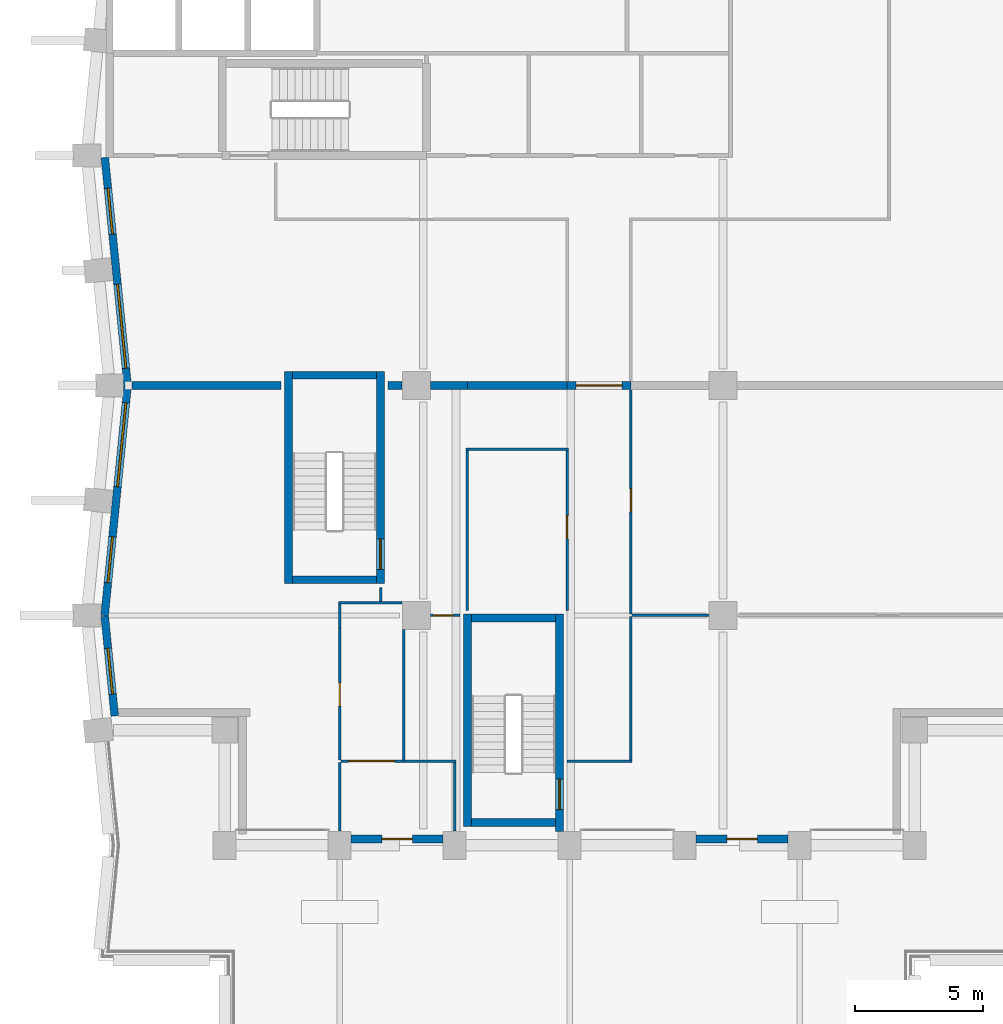
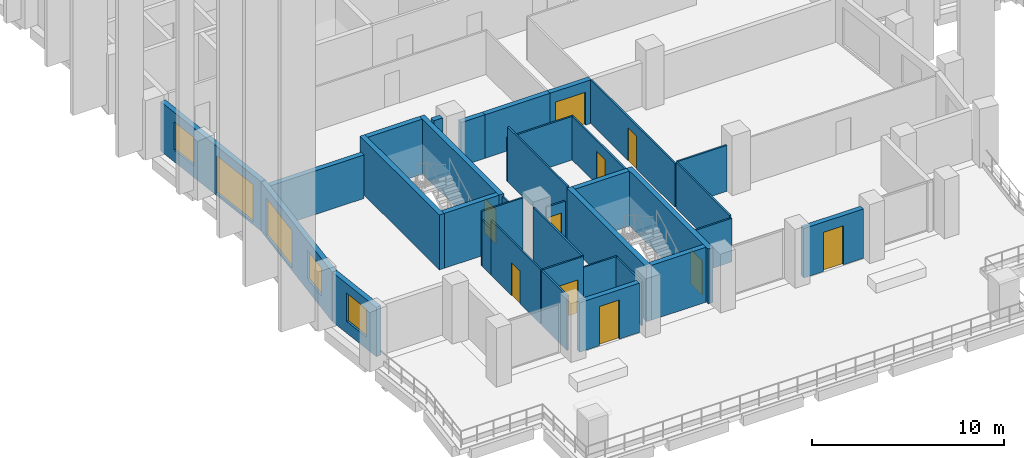
# One storey, part 10 of 18: 35 walls, 10 doors, 5 windows, 15 openings.
"""IFC4 building model written with IfcOpenShell, lengths in metres."""

from ifc_helpers import new_model, si_unit, direction, frame, frame_2d, origin, place, context, subcontext, project, spatial, rectangle, extrude, material, layer, layer_set, type_object, element, fill, save


model = new_model("IFC4")

# Units and contexts
model_context = context("Model", 3, precision=1e-05, world=origin(), true_north=direction((0.0, 1.0)))
body_context = subcontext(model_context, "Body", "Model", "MODEL_VIEW")
ifc_project = project(units=[si_unit("LENGTHUNIT", "METRE"), si_unit("AREAUNIT", "SQUARE_METRE"), si_unit("VOLUMEUNIT", "CUBIC_METRE"), si_unit("PLANEANGLEUNIT", "RADIAN"), si_unit("MASSUNIT", "GRAM", prefix="KILO")], contexts=[model_context])

# Site, building, storey
site_placement = place(None, origin())
site = spatial("IfcSite", under=ifc_project, at=site_placement, CompositionType="ELEMENT")
building_placement = place(site_placement, origin())
building = spatial("IfcBuilding", under=site, at=building_placement, Name="Brondeck Convention Tower", CompositionType="ELEMENT")
storey_placement = place(building_placement, frame((0.0, 0.0, 143.39990234375)))
storey = spatial("IfcBuildingStorey", under=building, at=storey_placement, Name="L34", CompositionType="ELEMENT", Elevation=143.39990234375)

# Walls
ifc_material_1 = material(Name="Concrete compartment wall C30/37", Category="concrete")
ifc_layer_1 = layer(ifc_material_1, 0.300048828125)
ifc_layer_set_1 = layer_set([ifc_layer_1], Name="Compartment wall 300")
wall_type_1 = type_object("IfcWallType", Name="Compartment wall 300", PredefinedType="PARTITIONING", material=ifc_layer_set_1)
wall_1_placement = place(storey_placement, frame((0.8740234375, 27.0, 0.0), z_axis=(0.0, 0.0, 1.0), x_axis=(1.0, 0.0, 0.0)))
element("IfcWall", 1, at=wall_1_placement, inside=storey, type_object=wall_type_1, Name="FLR-L34-W020", PredefinedType="PARTITIONING", context=body_context, shape_type="SweptSolid", body=[
    extrude(rectangle(XDim=5.825927734375, YDim=0.300048828125, at=frame_2d((2.9130859375, 0.0))), origin(), (0.0, 0.0, 1.0), 2.780029296875),
])
wall_2_placement = place(storey_placement, frame((10.89990234375, 27.0, 0.0), z_axis=(0.0, 0.0, 1.0), x_axis=(1.0, 0.0, 0.0)))
element("IfcWall", 2, at=wall_2_placement, inside=storey, type_object=wall_type_1, Name="FLR-L34-W021", PredefinedType="PARTITIONING", context=body_context, shape_type="SweptSolid", body=[
    extrude(rectangle(XDim=0.545166015625, YDim=0.300048828125, at=frame_2d((0.2724609375, 0.0))), origin(), (0.0, 0.0, 1.0), 3.47998046875),
])
wall_3_placement = place(storey_placement, frame((12.554931640625, 27.0, 0.0), z_axis=(0.0, 0.0, 1.0), x_axis=(1.0, 0.0, 0.0)))
element("IfcWall", 3, at=wall_3_placement, inside=storey, type_object=wall_type_1, Name="FLR-L34-W022", PredefinedType="PARTITIONING", context=body_context, shape_type="SweptSolid", body=[
    extrude(rectangle(XDim=1.445068359375, YDim=0.300048828125, at=frame_2d((0.72265625, 0.0))), origin(), (0.0, 0.0, 1.0), 2.780029296875),
])
wall_4_placement = place(storey_placement, frame((14.0, 27.0, 0.0), z_axis=(0.0, 0.0, 1.0), x_axis=(1.0, 0.0, 0.0)))
element("IfcWall", 4, at=wall_4_placement, inside=storey, type_object=wall_type_1, Name="FLR-L34-W023", PredefinedType="PARTITIONING", context=body_context, shape_type="SweptSolid", body=[
    extrude(rectangle(XDim=3.89990234375, YDim=0.300048828125, at=frame_2d((1.949951171875, 0.0))), origin(), (0.0, 0.0, 1.0), 2.780029296875),
])

# Wall, opening, door
wall_5_placement = place(storey_placement, frame((20.39990234375, 27.0, 0.0), z_axis=(0.0, 0.0, 1.0), x_axis=(-1.0, 0.0, 0.0)))
wall_5 = element("IfcWall", 5, at=wall_5_placement, inside=storey, type_object=wall_type_1, Name="FLR-L34-W024", PredefinedType="PARTITIONING", context=body_context, shape_type="SweptSolid", body=[
    extrude(rectangle(XDim=2.5, YDim=0.300048828125, at=frame_2d((1.25, 0.0))), origin(), (0.0, 0.0, 1.0), 2.780029296875),
])
opening_1_placement = place(wall_5_placement, frame((0.35009765625, 0.0, 0.0)))
opening_1 = element("IfcOpeningElement", 6, at=opening_1_placement, cuts=wall_5, Name="Opening OF-F-019", PredefinedType="OPENING", context=body_context, shape_type="SweptSolid", body=[
    extrude(rectangle(XDim=1.800048828125, YDim=2.10009765625, at=frame_2d((0.89990234375, 1.050048828125))), frame((0.0, 0.159912109375, 0.0), z_axis=(0.0, -1.0, 0.0), x_axis=(1.0, 0.0, 0.0)), (0.0, 0.0, 1.0), 0.320068359375),
])
ifc_material_2 = material(Name="Steel fire door pair", Category="steel")
door_type_1 = type_object("IfcDoorType", Name="Fire door pair 1800", OperationType="DOUBLE_DOOR_SINGLE_SWING", PredefinedType="DOOR", material=ifc_material_2)
door_1_placement = place(opening_1_placement, origin())
door_1 = element("IfcDoor", 7, at=door_1_placement, inside=storey, type_object=door_type_1, Name="Door OF-F-019", OperationType="DOUBLE_DOOR_SINGLE_SWING", OverallHeight=2.10009765625, OverallWidth=1.800048828125, PredefinedType="DOOR", context=body_context, shape_type="SweptSolid", body=[
    extrude(rectangle(XDim=1.800048828125, YDim=2.10009765625, at=frame_2d((0.89990234375, 1.050048828125))), frame((0.0, 0.02490234375, 0.0), z_axis=(0.0, -1.0, 0.0), x_axis=(1.0, 0.0, 0.0)), (0.0, 0.0, 1.0), 0.050048828125),
])
fill(opening_1, door_1)

# Wall, openings, windows
ifc_material_3 = material(Name="Precast concrete C50/60 bronze finish", Category="concrete")
ifc_layer_2 = layer(ifc_material_3, 0.070068359375, Name="Bronze precast facing")
ifc_material_4 = material(Name="Mineral wool")
ifc_layer_3 = layer(ifc_material_4, 0.159912109375, Name="Insulation")
ifc_material_5 = material(Name="Concrete C35/45", Category="concrete")
ifc_layer_4 = layer(ifc_material_5, 0.070068359375, Name="Backing")
ifc_layer_set_2 = layer_set([ifc_layer_2, ifc_layer_3, ifc_layer_4], Name="External infill wall, precast concrete C50/60 bronze facing")
wall_type_2 = type_object("IfcWallType", Name="External infill wall, precast concrete C50/60 bronze facing", PredefinedType="SOLIDWALL", material=ifc_layer_set_2)
wall_6_placement = place(storey_placement, frame((0.705078125, 26.985107421875, 0.0), z_axis=(0.0, 0.0, 1.0), x_axis=(-0.099533329093, 0.995034228758, 0.0)))
wall_6 = element("IfcWall", 8, at=wall_6_placement, inside=storey, type_object=wall_type_2, Name="ENV-EW-L34-P1-B-W-06", PredefinedType="SOLIDWALL", context=body_context, shape_type="SweptSolid", body=[
    extrude(rectangle(XDim=8.97998046875, YDim=0.300048828125, at=frame_2d((4.489990234375, 0.0))), origin(), (0.0, 0.0, 1.0), 3.150146484375),
])
opening_2_placement = place(wall_6_placement, frame((0.6962890625, 0.0, 0.14990234375)))
opening_2 = element("IfcOpeningElement", 9, at=opening_2_placement, cuts=wall_6, Name="Opening W9", PredefinedType="OPENING", context=body_context, shape_type="SweptSolid", body=[
    extrude(rectangle(XDim=3.300048828125, YDim=2.39990234375, at=frame_2d((1.64990234375, 1.199951171875))), frame((0.0, 0.159912109375, 0.0), z_axis=(0.0, -1.0, 0.0), x_axis=(1.0, 0.0, 0.0)), (0.0, 0.0, 1.0), 0.320068359375),
])
opening_3_placement = place(wall_6_placement, frame((5.968505859375, 0.0, 0.75)))
opening_3 = element("IfcOpeningElement", 10, at=opening_3_placement, cuts=wall_6, Name="Opening W10", PredefinedType="OPENING", context=body_context, shape_type="SweptSolid", body=[
    extrude(rectangle(XDim=1.800048828125, YDim=1.800048828125, at=frame_2d((0.89990234375, 0.89990234375))), frame((0.0, 0.159912109375, 0.0), z_axis=(0.0, -1.0, 0.0), x_axis=(1.0, 0.0, 0.0)), (0.0, 0.0, 1.0), 0.320068359375),
])
ifc_material_6 = material(Name="Bronze tinted double glazing", Category="glass")
window_type_1 = type_object("IfcWindowType", Name="Glazed flute window, bronze tinted", PartitioningType="SINGLE_PANEL", PredefinedType="WINDOW", material=ifc_material_6)
window_1_placement = place(opening_2_placement, origin())
window_1 = element("IfcWindow", 11, at=window_1_placement, inside=storey, type_object=window_type_1, Name="ENV-WN-L34-P1-B-W-07", OverallHeight=2.39990234375, OverallWidth=3.300048828125, PartitioningType="SINGLE_PANEL", PredefinedType="WINDOW", context=body_context, shape_type="SweptSolid", body=[
    extrude(rectangle(XDim=3.300048828125, YDim=2.39990234375, at=frame_2d((1.64990234375, 1.199951171875))), frame((0.0, 0.030029296875, 0.0), z_axis=(0.0, -1.0, 0.0), x_axis=(1.0, 0.0, 0.0)), (0.0, 0.0, 1.0), 0.06005859375),
])
fill(opening_2, window_1)
window_type_2 = type_object("IfcWindowType", Name="Punched window, bronze tinted", PartitioningType="SINGLE_PANEL", PredefinedType="WINDOW", material=ifc_material_6)
window_2_placement = place(opening_3_placement, origin())
window_2 = element("IfcWindow", 12, at=window_2_placement, inside=storey, type_object=window_type_2, Name="ENV-WN-L34-P1-B-W-06", OverallHeight=1.800048828125, OverallWidth=1.800048828125, PartitioningType="SINGLE_PANEL", PredefinedType="WINDOW", context=body_context, shape_type="SweptSolid", body=[
    extrude(rectangle(XDim=1.800048828125, YDim=1.800048828125, at=frame_2d((0.89990234375, 0.89990234375))), frame((0.0, 0.030029296875, 0.0), z_axis=(0.0, -1.0, 0.0), x_axis=(1.0, 0.0, 0.0)), (0.0, 0.0, 1.0), 0.06005859375),
])
fill(opening_3, window_2)

wall_7_placement = place(storey_placement, frame((-0.197998046875, 17.985107421875, 0.0), z_axis=(0.0, 0.0, 1.0), x_axis=(0.099495688264, 0.995037993253, 0.0)))
wall_7 = element("IfcWall", 13, at=wall_7_placement, inside=storey, type_object=wall_type_2, Name="ENV-EW-L34-P1-B-W-08", PredefinedType="SOLIDWALL", context=body_context, shape_type="SweptSolid", body=[
    extrude(rectangle(XDim=9.030029296875, YDim=0.300048828125, at=frame_2d((4.51513671875, 0.0))), origin(), (0.0, 0.0, 1.0), 3.150146484375),
])
opening_4_placement = place(wall_7_placement, frame((1.30615234375, 0.0, 0.75)))
opening_4 = element("IfcOpeningElement", 14, at=opening_4_placement, cuts=wall_7, Name="Opening W10", PredefinedType="OPENING", context=body_context, shape_type="SweptSolid", body=[
    extrude(rectangle(XDim=1.800048828125, YDim=1.800048828125, at=frame_2d((0.89990234375, 0.89990234375))), frame((0.0, 0.159912109375, 0.0), z_axis=(0.0, -1.0, 0.0), x_axis=(1.0, 0.0, 0.0)), (0.0, 0.0, 1.0), 0.320068359375),
])
opening_5_placement = place(wall_7_placement, frame((5.07861328125, 0.0, 0.14990234375)))
opening_5 = element("IfcOpeningElement", 15, at=opening_5_placement, cuts=wall_7, Name="Opening W9", PredefinedType="OPENING", context=body_context, shape_type="SweptSolid", body=[
    extrude(rectangle(XDim=3.300048828125, YDim=2.39990234375, at=frame_2d((1.64990234375, 1.199951171875))), frame((0.0, 0.159912109375, 0.0), z_axis=(0.0, -1.0, 0.0), x_axis=(1.0, 0.0, 0.0)), (0.0, 0.0, 1.0), 0.320068359375),
])
window_3_placement = place(opening_5_placement, origin())
window_3 = element("IfcWindow", 16, at=window_3_placement, inside=storey, type_object=window_type_1, Name="ENV-WN-L34-P1-B-W-08", OverallHeight=2.39990234375, OverallWidth=3.300048828125, PartitioningType="SINGLE_PANEL", PredefinedType="WINDOW", context=body_context, shape_type="SweptSolid", body=[
    extrude(rectangle(XDim=3.300048828125, YDim=2.39990234375, at=frame_2d((1.64990234375, 1.199951171875))), frame((0.0, 0.030029296875, 0.0), z_axis=(0.0, -1.0, 0.0), x_axis=(1.0, 0.0, 0.0)), (0.0, 0.0, 1.0), 0.06005859375),
])
fill(opening_5, window_3)
window_4_placement = place(opening_4_placement, origin())
window_4 = element("IfcWindow", 17, at=window_4_placement, inside=storey, type_object=window_type_2, Name="ENV-WN-L34-P1-B-W-09", OverallHeight=1.800048828125, OverallWidth=1.800048828125, PartitioningType="SINGLE_PANEL", PredefinedType="WINDOW", context=body_context, shape_type="SweptSolid", body=[
    extrude(rectangle(XDim=1.800048828125, YDim=1.800048828125, at=frame_2d((0.89990234375, 0.89990234375))), frame((0.0, 0.030029296875, 0.0), z_axis=(0.0, -1.0, 0.0), x_axis=(1.0, 0.0, 0.0)), (0.0, 0.0, 1.0), 0.06005859375),
])
fill(opening_4, window_4)

# Wall, opening, window
wall_8_placement = place(storey_placement, frame((0.197021484375, 14.06494140625, 0.0), z_axis=(0.0, 0.0, 1.0), x_axis=(-0.099528354722, 0.995034726332, 0.0)))
wall_8 = element("IfcWall", 18, at=wall_8_placement, inside=storey, type_object=wall_type_2, Name="ENV-EW-L34-P1-B-W-10", PredefinedType="SOLIDWALL", context=body_context, shape_type="SweptSolid", body=[
    extrude(rectangle(XDim=3.9248046875, YDim=0.300048828125, at=frame_2d((1.96240234375, 0.0))), origin(), (0.0, 0.0, 1.0), 3.150146484375),
])
opening_6_placement = place(wall_8_placement, frame((0.863525390625, 0.0, 0.75)))
opening_6 = element("IfcOpeningElement", 19, at=opening_6_placement, cuts=wall_8, Name="Opening W10", PredefinedType="OPENING", context=body_context, shape_type="SweptSolid", body=[
    extrude(rectangle(XDim=1.800048828125, YDim=1.800048828125, at=frame_2d((0.89990234375, 0.89990234375))), frame((0.0, 0.159912109375, 0.0), z_axis=(0.0, -1.0, 0.0), x_axis=(1.0, 0.0, 0.0)), (0.0, 0.0, 1.0), 0.320068359375),
])
window_5_placement = place(opening_6_placement, origin())
window_5 = element("IfcWindow", 20, at=window_5_placement, inside=storey, type_object=window_type_2, Name="ENV-WN-L34-P1-B-W-10", OverallHeight=1.800048828125, OverallWidth=1.800048828125, PartitioningType="SINGLE_PANEL", PredefinedType="WINDOW", context=body_context, shape_type="SweptSolid", body=[
    extrude(rectangle(XDim=1.800048828125, YDim=1.800048828125, at=frame_2d((0.89990234375, 0.89990234375))), frame((0.0, 0.030029296875, 0.0), z_axis=(0.0, -1.0, 0.0), x_axis=(1.0, 0.0, 0.0)), (0.0, 0.0, 1.0), 0.06005859375),
])
fill(opening_6, window_5)

# Wall, opening, door
wall_9_placement = place(storey_placement, frame((13.050048828125, 9.25, 0.0), z_axis=(0.0, 0.0, 1.0), x_axis=(-1.0, 0.0, 0.0)))
wall_9 = element("IfcWall", 21, at=wall_9_placement, inside=storey, type_object=wall_type_2, Name="ENV-TW-L34-P1-B-S9-02", PredefinedType="SOLIDWALL", context=body_context, shape_type="SweptSolid", body=[
    extrude(rectangle(XDim=3.60009765625, YDim=0.300048828125, at=frame_2d((1.800048828125, 0.0))), origin(), (0.0, 0.0, 1.0), 3.150146484375),
])
opening_7_placement = place(wall_9_placement, frame((1.199951171875, 0.0, 0.0)))
opening_7 = element("IfcOpeningElement", 22, at=opening_7_placement, cuts=wall_9, Name="Opening DB-L34-B-S9-02", PredefinedType="OPENING", context=body_context, shape_type="SweptSolid", body=[
    extrude(rectangle(XDim=1.199951171875, YDim=2.5, at=frame_2d((0.60009765625, 1.25))), frame((0.0, 0.159912109375, 0.0), z_axis=(0.0, -1.0, 0.0), x_axis=(1.0, 0.0, 0.0)), (0.0, 0.0, 1.0), 0.320068359375),
])
ifc_material_7 = material(Name="Aluminium, bronze anodised", Category="aluminium")
door_type_2 = type_object("IfcDoorType", Name="Terrace door, single leaf", OperationType="SINGLE_SWING_LEFT", PredefinedType="DOOR", material=ifc_material_7)
door_2_placement = place(opening_7_placement, origin())
door_2 = element("IfcDoor", 23, at=door_2_placement, inside=storey, type_object=door_type_2, Name="ENV-D-DB-L34-B-S9-02", OperationType="SINGLE_SWING_LEFT", OverallHeight=2.5, OverallWidth=1.199951171875, PredefinedType="DOOR", context=body_context, shape_type="SweptSolid", body=[
    extrude(rectangle(XDim=1.199951171875, YDim=2.5, at=frame_2d((0.60009765625, 1.25))), frame((0.0, 0.02490234375, 0.0), z_axis=(0.0, -1.0, 0.0), x_axis=(1.0, 0.0, 0.0)), (0.0, 0.0, 1.0), 0.050048828125),
])
fill(opening_7, door_2)

wall_10_placement = place(storey_placement, frame((26.550048828125, 9.25, 0.0), z_axis=(0.0, 0.0, 1.0), x_axis=(-1.0, 0.0, 0.0)))
wall_10 = element("IfcWall", 24, at=wall_10_placement, inside=storey, type_object=wall_type_2, Name="ENV-TW-L34-P1-B-S9-05", PredefinedType="SOLIDWALL", context=body_context, shape_type="SweptSolid", body=[
    extrude(rectangle(XDim=3.60009765625, YDim=0.300048828125, at=frame_2d((1.800048828125, 0.0))), origin(), (0.0, 0.0, 1.0), 3.150146484375),
])
opening_8_placement = place(wall_10_placement, frame((1.199951171875, 0.0, 0.0)))
opening_8 = element("IfcOpeningElement", 25, at=opening_8_placement, cuts=wall_10, Name="Opening DB-L34-B-S9-05", PredefinedType="OPENING", context=body_context, shape_type="SweptSolid", body=[
    extrude(rectangle(XDim=1.199951171875, YDim=2.5, at=frame_2d((0.60009765625, 1.25))), frame((0.0, 0.159912109375, 0.0), z_axis=(0.0, -1.0, 0.0), x_axis=(1.0, 0.0, 0.0)), (0.0, 0.0, 1.0), 0.320068359375),
])
door_3_placement = place(opening_8_placement, origin())
door_3 = element("IfcDoor", 26, at=door_3_placement, inside=storey, type_object=door_type_2, Name="ENV-D-DB-L34-B-S9-05", OperationType="SINGLE_SWING_LEFT", OverallHeight=2.5, OverallWidth=1.199951171875, PredefinedType="DOOR", context=body_context, shape_type="SweptSolid", body=[
    extrude(rectangle(XDim=1.199951171875, YDim=2.5, at=frame_2d((0.60009765625, 1.25))), frame((0.0, 0.02490234375, 0.0), z_axis=(0.0, -1.0, 0.0), x_axis=(1.0, 0.0, 0.0)), (0.0, 0.0, 1.0), 0.050048828125),
])
fill(opening_8, door_3)

# Walls
ifc_material_8 = material(Name="Gypsum board partition on steel studs", Category="steel")
ifc_layer_5 = layer(ifc_material_8, 0.10009765625)
ifc_layer_set_3 = layer_set([ifc_layer_5], Name="Room partition 100")
wall_type_3 = type_object("IfcWallType", Name="Room partition 100", PredefinedType="PARTITIONING", material=ifc_layer_set_3)
wall_11_placement = place(storey_placement, frame((9.0, 9.570068359375, 0.0), z_axis=(0.0, 0.0, 1.0), x_axis=(0.0, 1.0, 0.0)))
element("IfcWall", 27, at=wall_11_placement, inside=storey, type_object=wall_type_3, Name="FLR-L34-W001", PredefinedType="PARTITIONING", context=body_context, shape_type="SweptSolid", body=[
    extrude(rectangle(XDim=2.679931640625, YDim=0.10009765625, at=frame_2d((1.33984375, 0.0))), origin(), (0.0, 0.0, 1.0), 3.47998046875),
])
wall_12_placement = place(storey_placement, frame((13.5, 12.25, 0.0), z_axis=(0.0, 0.0, 1.0), x_axis=(0.0, -1.0, 0.0)))
element("IfcWall", 28, at=wall_12_placement, inside=storey, type_object=wall_type_3, Name="FLR-L34-W003", PredefinedType="PARTITIONING", context=body_context, shape_type="SweptSolid", body=[
    extrude(rectangle(XDim=2.679931640625, YDim=0.10009765625, at=frame_2d((1.33984375, 0.0))), origin(), (0.0, 0.0, 1.0), 2.780029296875),
])

# Wall, opening, door
wall_13_placement = place(storey_placement, frame((11.5, 12.300048828125, 0.0), z_axis=(0.0, 0.0, 1.0), x_axis=(-1.0, 0.0, 0.0)))
wall_13 = element("IfcWall", 29, at=wall_13_placement, inside=storey, type_object=wall_type_3, Name="FLR-L34-W004", PredefinedType="PARTITIONING", context=body_context, shape_type="SweptSolid", body=[
    extrude(rectangle(XDim=2.449951171875, YDim=0.10009765625, at=frame_2d((1.22509765625, 0.0))), origin(), (0.0, 0.0, 1.0), 3.47998046875),
])
opening_9_placement = place(wall_13_placement, frame((0.35009765625, 0.0, 0.0)))
opening_9 = element("IfcOpeningElement", 30, at=opening_9_placement, cuts=wall_13, Name="Opening OF-F-001", PredefinedType="OPENING", context=body_context, shape_type="SweptSolid", body=[
    extrude(rectangle(XDim=1.800048828125, YDim=2.10009765625, at=frame_2d((0.89990234375, 1.050048828125))), frame((0.0, 0.06005859375, 0.0), z_axis=(0.0, -1.0, 0.0), x_axis=(1.0, 0.0, 0.0)), (0.0, 0.0, 1.0), 0.1201171875),
])
ifc_material_9 = material(Name="Glazed timber double door", Category="wood")
door_type_3 = type_object("IfcDoorType", Name="Double door 1800", OperationType="DOUBLE_DOOR_SINGLE_SWING", PredefinedType="DOOR", material=ifc_material_9)
door_4_placement = place(opening_9_placement, origin())
door_4 = element("IfcDoor", 31, at=door_4_placement, inside=storey, type_object=door_type_3, Name="Door OF-F-001", OperationType="DOUBLE_DOOR_SINGLE_SWING", OverallHeight=2.10009765625, OverallWidth=1.800048828125, PredefinedType="DOOR", context=body_context, shape_type="SweptSolid", body=[
    extrude(rectangle(XDim=1.800048828125, YDim=2.10009765625, at=frame_2d((0.89990234375, 1.050048828125))), frame((0.0, 0.02490234375, 0.0), z_axis=(0.0, -1.0, 0.0), x_axis=(1.0, 0.0, 0.0)), (0.0, 0.0, 1.0), 0.050048828125),
])
fill(opening_9, door_4)

# Walls
wall_14_placement = place(storey_placement, frame((11.5, 12.300048828125, 0.0), z_axis=(0.0, 0.0, 1.0), x_axis=(1.0, 0.0, 0.0)))
element("IfcWall", 32, at=wall_14_placement, inside=storey, type_object=wall_type_3, Name="FLR-L34-W005", PredefinedType="PARTITIONING", context=body_context, shape_type="SweptSolid", body=[
    extrude(rectangle(XDim=2.050048828125, YDim=0.10009765625, at=frame_2d((1.02490234375, 0.0))), origin(), (0.0, 0.0, 1.0), 2.780029296875),
])
wall_15_placement = place(storey_placement, frame((20.449951171875, 12.300048828125, 0.0), z_axis=(0.0, 0.0, 1.0), x_axis=(-1.0, 0.0, 0.0)))
element("IfcWall", 33, at=wall_15_placement, inside=storey, type_object=wall_type_3, Name="FLR-L34-W006", PredefinedType="PARTITIONING", context=body_context, shape_type="SweptSolid", body=[
    extrude(rectangle(XDim=2.550048828125, YDim=0.10009765625, at=frame_2d((1.27490234375, 0.0))), origin(), (0.0, 0.0, 1.0), 2.780029296875),
])

# Wall, opening, door
wall_16_placement = place(storey_placement, frame((9.0, 12.35009765625, 0.0), z_axis=(0.0, 0.0, 1.0), x_axis=(0.0, 1.0, 0.0)))
wall_16 = element("IfcWall", 34, at=wall_16_placement, inside=storey, type_object=wall_type_3, Name="FLR-L34-W007", PredefinedType="PARTITIONING", context=body_context, shape_type="SweptSolid", body=[
    extrude(rectangle(XDim=5.14990234375, YDim=0.10009765625, at=frame_2d((2.574951171875, 0.0))), origin(), (0.0, 0.0, 1.0), 3.47998046875),
])
opening_10_placement = place(wall_16_placement, frame((2.10009765625, 0.0, 0.0)))
opening_10 = element("IfcOpeningElement", 35, at=opening_10_placement, cuts=wall_16, Name="Opening OF-F-016", PredefinedType="OPENING", context=body_context, shape_type="SweptSolid", body=[
    extrude(rectangle(XDim=0.89990234375, YDim=2.10009765625, at=frame_2d((0.449951171875, 1.050048828125))), frame((0.0, 0.06005859375, 0.0), z_axis=(0.0, -1.0, 0.0), x_axis=(1.0, 0.0, 0.0)), (0.0, 0.0, 1.0), 0.1201171875),
])
ifc_material_10 = material(Name="Solid timber door leaf", Category="wood")
door_type_4 = type_object("IfcDoorType", Name="Single door 900", OperationType="NOTDEFINED", PredefinedType="DOOR", material=ifc_material_10)
door_5_placement = place(opening_10_placement, origin())
door_5 = element("IfcDoor", 36, at=door_5_placement, inside=storey, type_object=door_type_4, Name="Door OF-F-016", OperationType="SINGLE_SWING_RIGHT", OverallHeight=2.10009765625, OverallWidth=0.89990234375, PredefinedType="DOOR", context=body_context, shape_type="SweptSolid", body=[
    extrude(rectangle(XDim=0.89990234375, YDim=2.10009765625, at=frame_2d((0.449951171875, 1.050048828125))), frame((0.0, 0.02490234375, 0.0), z_axis=(0.0, -1.0, 0.0), x_axis=(1.0, 0.0, 0.0)), (0.0, 0.0, 1.0), 0.050048828125),
])
fill(opening_10, door_5)

# Walls
wall_17_placement = place(storey_placement, frame((11.5, 17.445068359375, 0.0), z_axis=(0.0, 0.0, 1.0), x_axis=(0.0, -1.0, 0.0)))
element("IfcWall", 37, at=wall_17_placement, inside=storey, type_object=wall_type_3, Name="FLR-L34-W008", PredefinedType="PARTITIONING", context=body_context, shape_type="SweptSolid", body=[
    extrude(rectangle(XDim=5.094970703125, YDim=0.10009765625, at=frame_2d((2.54736328125, 0.0))), origin(), (0.0, 0.0, 1.0), 3.47998046875),
])
wall_18_placement = place(storey_placement, frame((9.0, 17.5, 0.0), z_axis=(0.0, 0.0, 1.0), x_axis=(0.0, 1.0, 0.0)))
element("IfcWall", 38, at=wall_18_placement, inside=storey, type_object=wall_type_3, Name="FLR-L34-W009", PredefinedType="PARTITIONING", context=body_context, shape_type="SweptSolid", body=[
    extrude(rectangle(XDim=0.949951171875, YDim=0.10009765625, at=frame_2d((0.47509765625, 0.0))), origin(), (0.0, 0.0, 1.0), 2.93017578125),
])
wall_19_placement = place(storey_placement, frame((20.39990234375, 17.949951171875, 0.0), z_axis=(0.0, 0.0, 1.0), x_axis=(0.0, -1.0, 0.0)))
element("IfcWall", 39, at=wall_19_placement, inside=storey, type_object=wall_type_3, Name="FLR-L34-W010", PredefinedType="PARTITIONING", context=body_context, shape_type="SweptSolid", body=[
    extrude(rectangle(XDim=5.599853515625, YDim=0.10009765625, at=frame_2d((2.7998046875, 0.0))), origin(), (0.0, 0.0, 1.0), 2.93017578125),
])

# Wall, opening, door
wall_20_placement = place(storey_placement, frame((13.699951171875, 18.0, 0.0), z_axis=(0.0, 0.0, 1.0), x_axis=(-1.0, 0.0, 0.0)))
wall_20 = element("IfcWall", 40, at=wall_20_placement, inside=storey, type_object=wall_type_3, Name="FLR-L34-W011", PredefinedType="PARTITIONING", context=body_context, shape_type="SweptSolid", body=[
    extrude(rectangle(XDim=1.14501953125, YDim=0.10009765625, at=frame_2d((0.572509765625, 0.0))), origin(), (0.0, 0.0, 1.0), 2.780029296875),
])
opening_11_placement = place(wall_20_placement, frame((0.2451171875, 0.0, 0.0)))
opening_11 = element("IfcOpeningElement", 41, at=opening_11_placement, cuts=wall_20, Name="Opening OF-F-004", PredefinedType="OPENING", context=body_context, shape_type="SweptSolid", body=[
    extrude(rectangle(XDim=0.800048828125, YDim=2.10009765625, at=frame_2d((0.39990234375, 1.050048828125))), frame((0.0, 0.06005859375, 0.0), z_axis=(0.0, -1.0, 0.0), x_axis=(1.0, 0.0, 0.0)), (0.0, 0.0, 1.0), 0.1201171875),
])
ifc_material_11 = material(Name="Steel service door leaf", Category="steel")
door_type_5 = type_object("IfcDoorType", Name="Service door 800", OperationType="NOTDEFINED", PredefinedType="DOOR", material=ifc_material_11)
door_6_placement = place(opening_11_placement, origin())
door_6 = element("IfcDoor", 42, at=door_6_placement, inside=storey, type_object=door_type_5, Name="Door OF-F-004", OperationType="SINGLE_SWING_LEFT", OverallHeight=2.10009765625, OverallWidth=0.800048828125, PredefinedType="DOOR", context=body_context, shape_type="SweptSolid", body=[
    extrude(rectangle(XDim=0.800048828125, YDim=2.10009765625, at=frame_2d((0.39990234375, 1.050048828125))), frame((0.0, 0.02490234375, 0.0), z_axis=(0.0, -1.0, 0.0), x_axis=(1.0, 0.0, 0.0)), (0.0, 0.0, 1.0), 0.050048828125),
])
fill(opening_11, door_6)

# Wall
wall_21_placement = place(storey_placement, frame((23.445068359375, 18.0, 0.0), z_axis=(0.0, 0.0, 1.0), x_axis=(-1.0, 0.0, 0.0)))
element("IfcWall", 43, at=wall_21_placement, inside=storey, type_object=wall_type_3, Name="FLR-L34-W012", PredefinedType="PARTITIONING", context=body_context, shape_type="SweptSolid", body=[
    extrude(rectangle(XDim=2.9951171875, YDim=0.10009765625, at=frame_2d((1.49755859375, 0.0))), origin(), (0.0, 0.0, 1.0), 2.93017578125),
])

# Wall, opening, door
wall_22_placement = place(storey_placement, frame((17.89990234375, 18.199951171875, 0.0), z_axis=(0.0, 0.0, 1.0), x_axis=(0.0, 1.0, 0.0)))
wall_22 = element("IfcWall", 44, at=wall_22_placement, inside=storey, type_object=wall_type_3, Name="FLR-L34-W014", PredefinedType="PARTITIONING", context=body_context, shape_type="SweptSolid", body=[
    extrude(rectangle(XDim=6.25, YDim=0.10009765625, at=frame_2d((3.125, 0.0))), origin(), (0.0, 0.0, 1.0), 2.780029296875),
])
opening_12_placement = place(wall_22_placement, frame((2.800048828125, 0.0, 0.0)))
opening_12 = element("IfcOpeningElement", 45, at=opening_12_placement, cuts=wall_22, Name="Opening OF-F-003", PredefinedType="OPENING", context=body_context, shape_type="SweptSolid", body=[
    extrude(rectangle(XDim=0.89990234375, YDim=2.10009765625, at=frame_2d((0.449951171875, 1.050048828125))), frame((0.0, 0.06005859375, 0.0), z_axis=(0.0, -1.0, 0.0), x_axis=(1.0, 0.0, 0.0)), (0.0, 0.0, 1.0), 0.1201171875),
])
door_7_placement = place(opening_12_placement, origin())
door_7 = element("IfcDoor", 46, at=door_7_placement, inside=storey, type_object=door_type_4, Name="Door OF-F-003", OperationType="SINGLE_SWING_LEFT", OverallHeight=2.10009765625, OverallWidth=0.89990234375, PredefinedType="DOOR", context=body_context, shape_type="SweptSolid", body=[
    extrude(rectangle(XDim=0.89990234375, YDim=2.10009765625, at=frame_2d((0.449951171875, 1.050048828125))), frame((0.0, 0.02490234375, 0.0), z_axis=(0.0, -1.0, 0.0), x_axis=(1.0, 0.0, 0.0)), (0.0, 0.0, 1.0), 0.050048828125),
])
fill(opening_12, door_7)

# Walls
wall_23_placement = place(storey_placement, frame((8.949951171875, 18.5, 0.0), z_axis=(0.0, 0.0, 1.0), x_axis=(1.0, 0.0, 0.0)))
element("IfcWall", 47, at=wall_23_placement, inside=storey, type_object=wall_type_3, Name="FLR-L34-W015", PredefinedType="PARTITIONING", context=body_context, shape_type="SweptSolid", body=[
    extrude(rectangle(XDim=2.47998046875, YDim=0.10009765625, at=frame_2d((1.239990234375, 0.0))), origin(), (0.0, 0.0, 1.0), 3.47998046875),
])
wall_24_placement = place(storey_placement, frame((10.60009765625, 18.550048828125, 0.0), z_axis=(0.0, 0.0, 1.0), x_axis=(0.0, 1.0, 0.0)))
element("IfcWall", 48, at=wall_24_placement, inside=storey, type_object=wall_type_3, Name="FLR-L34-W016", PredefinedType="PARTITIONING", context=body_context, shape_type="SweptSolid", body=[
    extrude(rectangle(XDim=0.550048828125, YDim=0.10009765625, at=frame_2d((0.27490234375, 0.0))), origin(), (0.0, 0.0, 1.0), 3.47998046875),
])
wall_25_placement = place(storey_placement, frame((14.0, 24.449951171875, 0.0), z_axis=(0.0, 0.0, 1.0), x_axis=(0.0, -1.0, 0.0)))
element("IfcWall", 49, at=wall_25_placement, inside=storey, type_object=wall_type_3, Name="FLR-L34-W017", PredefinedType="PARTITIONING", context=body_context, shape_type="SweptSolid", body=[
    extrude(rectangle(XDim=6.25, YDim=0.10009765625, at=frame_2d((3.125, 0.0))), origin(), (0.0, 0.0, 1.0), 3.47998046875),
])
wall_26_placement = place(storey_placement, frame((17.949951171875, 24.5, 0.0), z_axis=(0.0, 0.0, 1.0), x_axis=(-1.0, 0.0, 0.0)))
element("IfcWall", 50, at=wall_26_placement, inside=storey, type_object=wall_type_3, Name="FLR-L34-W018", PredefinedType="PARTITIONING", context=body_context, shape_type="SweptSolid", body=[
    extrude(rectangle(XDim=4.0, YDim=0.10009765625, at=frame_2d((2.0, 0.0))), origin(), (0.0, 0.0, 1.0), 2.780029296875),
])

# Wall, opening, door
wall_27_placement = place(storey_placement, frame((20.39990234375, 26.830078125, 0.0), z_axis=(0.0, 0.0, 1.0), x_axis=(0.0, -1.0, 0.0)))
wall_27 = element("IfcWall", 51, at=wall_27_placement, inside=storey, type_object=wall_type_3, Name="FLR-L34-W019", PredefinedType="PARTITIONING", context=body_context, shape_type="SweptSolid", body=[
    extrude(rectangle(XDim=8.780029296875, YDim=0.10009765625, at=frame_2d((4.39013671875, 0.0))), origin(), (0.0, 0.0, 1.0), 2.780029296875),
])
opening_13_placement = place(wall_27_placement, frame((3.8798828125, 0.0, 0.0)))
opening_13 = element("IfcOpeningElement", 52, at=opening_13_placement, cuts=wall_27, Name="Opening OF-F-014", PredefinedType="OPENING", context=body_context, shape_type="SweptSolid", body=[
    extrude(rectangle(XDim=0.89990234375, YDim=2.10009765625, at=frame_2d((0.449951171875, 1.050048828125))), frame((0.0, 0.06005859375, 0.0), z_axis=(0.0, -1.0, 0.0), x_axis=(1.0, 0.0, 0.0)), (0.0, 0.0, 1.0), 0.1201171875),
])
door_8_placement = place(opening_13_placement, origin())
door_8 = element("IfcDoor", 53, at=door_8_placement, inside=storey, type_object=door_type_4, Name="Door OF-F-014", OperationType="SINGLE_SWING_LEFT", OverallHeight=2.10009765625, OverallWidth=0.89990234375, PredefinedType="DOOR", context=body_context, shape_type="SweptSolid", body=[
    extrude(rectangle(XDim=0.89990234375, YDim=2.10009765625, at=frame_2d((0.449951171875, 1.050048828125))), frame((0.0, 0.02490234375, 0.0), z_axis=(0.0, -1.0, 0.0), x_axis=(1.0, 0.0, 0.0)), (0.0, 0.0, 1.0), 0.050048828125),
])
fill(opening_13, door_8)

# Walls
ifc_material_12 = material(Name="Concrete C70/85", Category="concrete")
ifc_layer_6 = layer(ifc_material_12, 0.300048828125)
ifc_layer_set_4 = layer_set([ifc_layer_6], Name="Stair enclosure wall 300 Concrete C70/85")
wall_type_4 = type_object("IfcWallType", Name="Stair enclosure wall 300 Concrete C70/85", PredefinedType="SHEAR", material=ifc_layer_set_4)
for number, where, z_axis, x_axis, name in (
    (54, (14.14990234375, 9.89990234375, 0.0), (0.0, 0.0, 1.0), (1.0, 0.0, 0.0), "L34 core wall"),
    (55, (14.14990234375, 17.89990234375, 0.0), (0.0, 0.0, 1.0), (1.0, 0.0, 0.0), "L34 core wall"),
    (56, (7.14990234375, 19.39990234375, 0.0), (0.0, 0.0, 1.0), (1.0, 0.0, 0.0), "L34 core wall"),
    (57, (7.14990234375, 27.39990234375, 0.0), (0.0, 0.0, 1.0), (1.0, 0.0, 0.0), "L34 core wall"),
):
    element("IfcWall", number, at=place(storey_placement, frame(where, z_axis=z_axis, x_axis=x_axis)), inside=storey, type_object=wall_type_4, Name=name, PredefinedType="SHEAR", context=body_context, shape_type="SweptSolid", body=[
        extrude(rectangle(XDim=3.300048828125, YDim=0.300048828125, at=frame_2d((1.64990234375, 0.0))), origin(), (0.0, 0.0, 1.0), 3.5),
    ])
wall_28_placement = place(storey_placement, frame((7.0, 19.25, 0.0), z_axis=(0.0, 0.0, 1.0), x_axis=(0.0, 1.0, 0.0)))
element("IfcWall", 58, at=wall_28_placement, inside=storey, type_object=wall_type_4, Name="L34 core wall", PredefinedType="SHEAR", context=body_context, shape_type="SweptSolid", body=[
    extrude(rectangle(XDim=8.300048828125, YDim=0.300048828125, at=frame_2d((4.14990234375, 0.0))), origin(), (0.0, 0.0, 1.0), 3.5),
])

# Wall, opening, door
wall_29_placement = place(storey_placement, frame((10.60009765625, 19.25, 0.0), z_axis=(0.0, 0.0, 1.0), x_axis=(0.0, 1.0, 0.0)))
wall_29 = element("IfcWall", 59, at=wall_29_placement, inside=storey, type_object=wall_type_4, Name="L34 core wall", PredefinedType="SHEAR", context=body_context, shape_type="SweptSolid", body=[
    extrude(rectangle(XDim=8.300048828125, YDim=0.300048828125, at=frame_2d((4.14990234375, 0.0))), origin(), (0.0, 0.0, 1.0), 3.5),
])
opening_14_placement = place(wall_29_placement, frame((0.550048828125, 0.0, 0.0)))
opening_14 = element("IfcOpeningElement", 60, at=opening_14_placement, cuts=wall_29, Name="Opening C20-18", PredefinedType="OPENING", context=body_context, shape_type="SweptSolid", body=[
    extrude(rectangle(XDim=1.199951171875, YDim=2.199951171875, at=frame_2d((0.60009765625, 1.10009765625))), frame((0.0, 0.159912109375, 0.0), z_axis=(0.0, -1.0, 0.0), x_axis=(1.0, 0.0, 0.0)), (0.0, 0.0, 1.0), 0.320068359375),
])
ifc_material_13 = material(Name="Steel fire door", Category="steel")
door_type_6 = type_object("IfcDoorType", Name="Stair door 1200x2200 EI 90", OperationType="NOTDEFINED", PredefinedType="DOOR", material=ifc_material_13)
door_9_placement = place(opening_14_placement, origin())
door_9 = element("IfcDoor", 61, at=door_9_placement, inside=storey, type_object=door_type_6, Name="L34 Stair door ST-BE", OperationType="SINGLE_SWING_RIGHT", OverallHeight=2.199951171875, OverallWidth=1.199951171875, PredefinedType="DOOR", context=body_context, shape_type="SweptSolid", body=[
    extrude(rectangle(XDim=1.199951171875, YDim=2.199951171875, at=frame_2d((0.60009765625, 1.10009765625))), frame((0.0, 0.02490234375, 0.0), z_axis=(0.0, -1.0, 0.0), x_axis=(1.0, 0.0, 0.0)), (0.0, 0.0, 1.0), 0.050048828125),
])
fill(opening_14, door_9)

# Wall
wall_30_placement = place(storey_placement, frame((14.0, 9.75, 0.0), z_axis=(0.0, 0.0, 1.0), x_axis=(0.0, 1.0, 0.0)))
element("IfcWall", 62, at=wall_30_placement, inside=storey, type_object=wall_type_4, Name="L34 core wall", PredefinedType="SHEAR", context=body_context, shape_type="SweptSolid", body=[
    extrude(rectangle(XDim=8.300048828125, YDim=0.300048828125, at=frame_2d((4.14990234375, 0.0))), origin(), (0.0, 0.0, 1.0), 3.5),
])

# Wall, opening, door
wall_31_placement = place(storey_placement, frame((17.60009765625, 9.550048828125, 0.0), z_axis=(0.0, 0.0, 1.0), x_axis=(0.0, 1.0, 0.0)))
wall_31 = element("IfcWall", 63, at=wall_31_placement, inside=storey, type_object=wall_type_4, Name="L34 core wall", PredefinedType="SHEAR", context=body_context, shape_type="SweptSolid", body=[
    extrude(rectangle(XDim=8.5, YDim=0.300048828125, at=frame_2d((4.25, 0.0))), origin(), (0.0, 0.0, 1.0), 3.5),
])
opening_15_placement = place(wall_31_placement, frame((0.85009765625, 0.0, 0.0)))
opening_15 = element("IfcOpeningElement", 64, at=opening_15_placement, cuts=wall_31, Name="Opening C20-19", PredefinedType="OPENING", context=body_context, shape_type="SweptSolid", body=[
    extrude(rectangle(XDim=1.199951171875, YDim=2.199951171875, at=frame_2d((0.60009765625, 1.10009765625))), frame((0.0, 0.159912109375, 0.0), z_axis=(0.0, -1.0, 0.0), x_axis=(1.0, 0.0, 0.0)), (0.0, 0.0, 1.0), 0.320068359375),
])
door_10_placement = place(opening_15_placement, origin())
door_10 = element("IfcDoor", 65, at=door_10_placement, inside=storey, type_object=door_type_6, Name="L34 Stair door ST-BF", OperationType="SINGLE_SWING_LEFT", OverallHeight=2.199951171875, OverallWidth=1.199951171875, PredefinedType="DOOR", context=body_context, shape_type="SweptSolid", body=[
    extrude(rectangle(XDim=1.199951171875, YDim=2.199951171875, at=frame_2d((0.60009765625, 1.10009765625))), frame((0.0, 0.02490234375, 0.0), z_axis=(0.0, -1.0, 0.0), x_axis=(1.0, 0.0, 0.0)), (0.0, 0.0, 1.0), 0.050048828125),
])
fill(opening_15, door_10)

save(model, "model.ifc")
